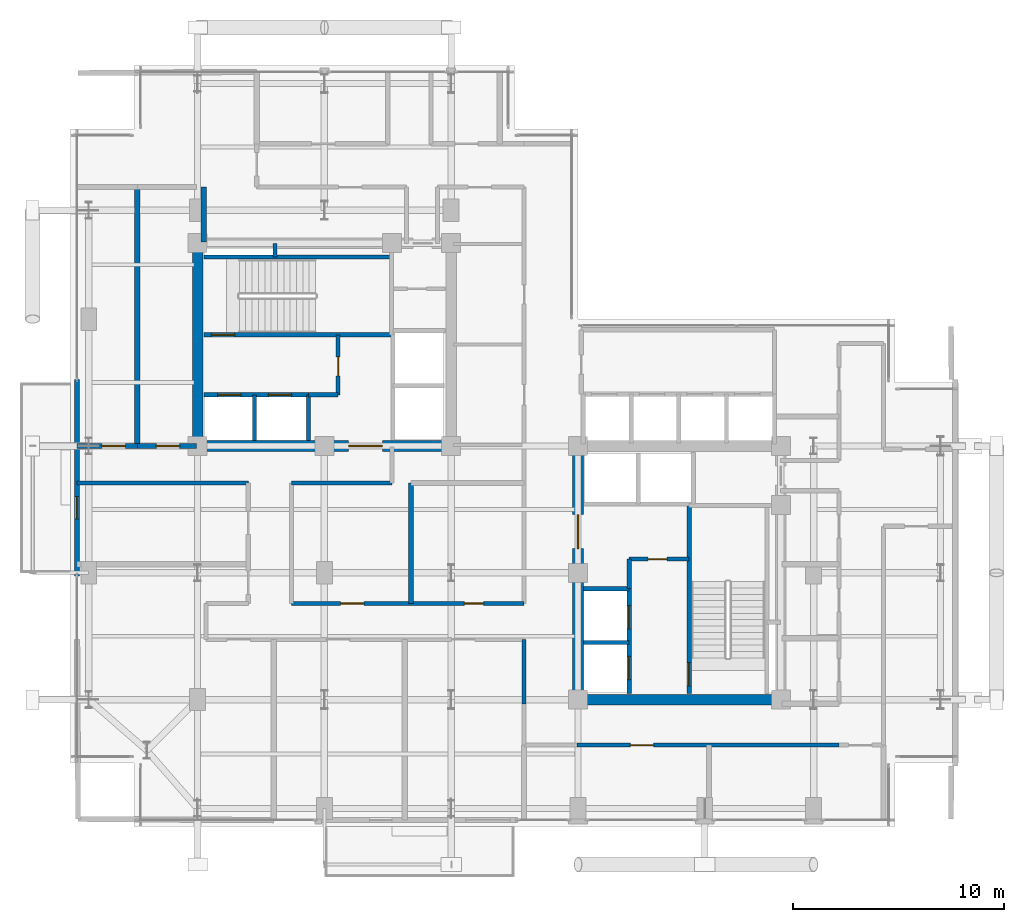
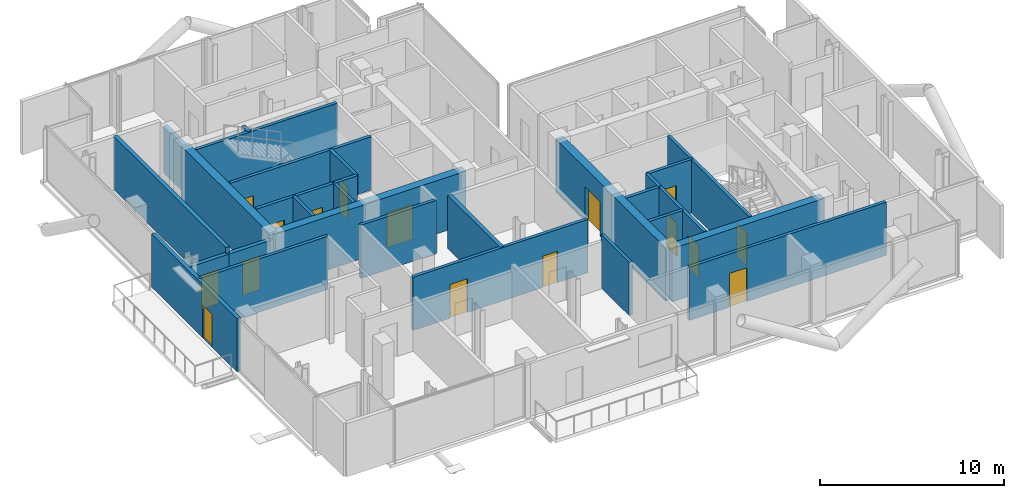
# One storey, part 17 of 21: 29 walls, 16 doors, 16 openings.
"""IFC4 building model written with IfcOpenShell, lengths in metres."""

from ifc_helpers import new_model, si_unit, direction, frame, frame_2d, origin, place, context, subcontext, project, spatial, rectangle, extrude, material, layer, layer_set, type_object, element, fill, save


model = new_model("IFC4")

# Units and contexts
model_context = context("Model", 3, precision=1e-05, world=origin(), true_north=direction((0.0, 1.0)))
body_context = subcontext(model_context, "Body", "Model", "MODEL_VIEW")
ifc_project = project(units=[si_unit("LENGTHUNIT", "METRE"), si_unit("AREAUNIT", "SQUARE_METRE"), si_unit("VOLUMEUNIT", "CUBIC_METRE"), si_unit("PLANEANGLEUNIT", "RADIAN"), si_unit("MASSUNIT", "GRAM", prefix="KILO"), si_unit("THERMODYNAMICTEMPERATUREUNIT", "KELVIN"), si_unit("POWERUNIT", "WATT")], contexts=[model_context])

# Site, building, storey
site_placement = place(None, origin())
site = spatial("IfcSite", under=ifc_project, at=site_placement, CompositionType="ELEMENT")
building_placement = place(site_placement, origin())
building = spatial("IfcBuilding", under=site, at=building_placement, Name="Svarakhadi Broadcast Tower", CompositionType="ELEMENT")
storey_placement = place(building_placement, frame((0.0, 0.0, 187.949951171875)))
storey = spatial("IfcBuildingStorey", under=building, at=storey_placement, Name="L46", CompositionType="ELEMENT", Elevation=187.949951171875)

# Wall
ifc_material_1 = material(Name="Double-Stud Acoustic Studio Partition STC-62", Category="gypsum")
ifc_layer_1 = layer(ifc_material_1, 0.25)
ifc_layer_set_1 = layer_set([ifc_layer_1], Name="Double-Stud Acoustic Studio Partition STC-62")
wall_type_1 = type_object("IfcWallType", Name="Wall_Acoust_250", PredefinedType="PARTITIONING", material=ifc_layer_set_1)
wall_1_placement = place(storey_placement, frame((16.10009765625, 10.550048828125, 0.0), z_axis=(0.0, 0.0, 1.0), x_axis=(0.0, 1.0, 0.0)))
element("IfcWall", 1, at=wall_1_placement, inside=storey, type_object=wall_type_1, Name="L46 Central Review Briefing Pod Wall", PredefinedType="PARTITIONING", context=body_context, shape_type="SweptSolid", body=[
    extrude(rectangle(XDim=5.699951171875, YDim=0.25, at=frame_2d((2.85009765625, 0.0))), origin(), (0.0, 0.0, 1.0), 3.5400390625),
])

# Wall, opening, door
wall_2_placement = place(storey_placement, frame((0.300048828125, 18.0, 0.0), z_axis=(0.0, 0.0, 1.0), x_axis=(1.0, 0.0, 0.0)))
wall_2 = element("IfcWall", 2, at=wall_2_placement, inside=storey, type_object=wall_type_1, Name="L46 Diplomatic Sunset Lounge Wall", PredefinedType="PARTITIONING", context=body_context, shape_type="SweptSolid", body=[
    extrude(rectangle(XDim=2.849853515625, YDim=0.25, at=frame_2d((1.4248046875, 0.0))), origin(), (0.0, 0.0, 1.0), 3.132080078125),
])
opening_1_placement = place(wall_2_placement, frame((1.179931640625, 0.0, 0.0)))
opening_1 = element("IfcOpeningElement", 3, at=opening_1_placement, cuts=wall_2, Name="Opening D-11", PredefinedType="OPENING", context=body_context, shape_type="SweptSolid", body=[
    extrude(rectangle(XDim=1.10009765625, YDim=2.25, at=frame_2d((0.550048828125, 1.125))), frame((0.0, 0.135009765625, 0.0), z_axis=(0.0, -1.0, 0.0), x_axis=(1.0, 0.0, 0.0)), (0.0, 0.0, 1.0), 0.27001953125),
])
ifc_material_2 = material(Name="Solid-Core Teak Veneer Acoustic Timber Leaf", Category="wood")
door_type_1 = type_object("IfcDoorType", Name="Door_Acoust_D11", OperationType="SINGLE_SWING_RIGHT", PredefinedType="DOOR", material=ifc_material_2)
door_1_placement = place(opening_1_placement, origin())
door_1 = element("IfcDoor", 4, at=door_1_placement, inside=storey, type_object=door_type_1, Name="L46 Diplomatic Sunset Lounge Door", OperationType="SINGLE_SWING_RIGHT", OverallHeight=2.25, OverallWidth=1.10009765625, PredefinedType="DOOR", context=body_context, shape_type="SweptSolid", body=[
    extrude(rectangle(XDim=1.10009765625, YDim=2.25, at=frame_2d((0.550048828125, 1.125))), frame((0.0, 0.02490234375, 0.0), z_axis=(0.0, -1.0, 0.0), x_axis=(1.0, 0.0, 0.0)), (0.0, 0.0, 1.0), 0.050048828125),
])
fill(opening_1, door_1)

# Wall
wall_3_placement = place(storey_placement, frame((3.14990234375, 18.0, 0.0), z_axis=(0.0, 0.0, 1.0), x_axis=(0.0, 1.0, 0.0)))
element("IfcWall", 5, at=wall_3_placement, inside=storey, type_object=wall_type_1, Name="L46 Diplomatic Sunset Lounge Wall", PredefinedType="PARTITIONING", context=body_context, shape_type="SweptSolid", body=[
    extrude(rectangle(XDim=12.25, YDim=0.25, at=frame_2d((6.125, 0.0))), origin(), (0.0, 0.0, 1.0), 3.5400390625),
])

# Wall, opening, door
wall_4_placement = place(storey_placement, frame((3.14990234375, 18.0, 0.0), z_axis=(0.0, 0.0, 1.0), x_axis=(1.0, 0.0, 0.0)))
wall_4 = element("IfcWall", 6, at=wall_4_placement, inside=storey, type_object=wall_type_1, Name="L46 Ambassador Protocol Study Wall", PredefinedType="PARTITIONING", context=body_context, shape_type="SweptSolid", body=[
    extrude(rectangle(XDim=2.800048828125, YDim=0.25, at=frame_2d((1.39990234375, 0.0))), origin(), (0.0, 0.0, 1.0), 3.132080078125),
])
opening_2_placement = place(wall_4_placement, frame((0.89990234375, 0.0, 0.0)))
opening_2 = element("IfcOpeningElement", 7, at=opening_2_placement, cuts=wall_4, Name="Opening D-10", PredefinedType="OPENING", context=body_context, shape_type="SweptSolid", body=[
    extrude(rectangle(XDim=1.10009765625, YDim=2.25, at=frame_2d((0.550048828125, 1.125))), frame((0.0, 0.135009765625, 0.0), z_axis=(0.0, -1.0, 0.0), x_axis=(1.0, 0.0, 0.0)), (0.0, 0.0, 1.0), 0.27001953125),
])
door_type_2 = type_object("IfcDoorType", Name="Door_Acoust_D10", OperationType="SINGLE_SWING_LEFT", PredefinedType="DOOR", material=ifc_material_2)
door_2_placement = place(opening_2_placement, origin())
door_2 = element("IfcDoor", 8, at=door_2_placement, inside=storey, type_object=door_type_2, Name="L46 Ambassador Protocol Study Door", OperationType="SINGLE_SWING_LEFT", OverallHeight=2.25, OverallWidth=1.10009765625, PredefinedType="DOOR", context=body_context, shape_type="SweptSolid", body=[
    extrude(rectangle(XDim=1.10009765625, YDim=2.25, at=frame_2d((0.550048828125, 1.125))), frame((0.0, 0.02490234375, 0.0), z_axis=(0.0, -1.0, 0.0), x_axis=(1.0, 0.0, 0.0)), (0.0, 0.0, 1.0), 0.050048828125),
])
fill(opening_2, door_2)

# Wall
wall_5_placement = place(storey_placement, frame((6.300048828125, 27.64990234375, 0.0), z_axis=(0.0, 0.0, 1.0), x_axis=(0.0, 1.0, 0.0)))
element("IfcWall", 9, at=wall_5_placement, inside=storey, type_object=wall_type_1, Name="L46 Guest Library Study Wall", PredefinedType="PARTITIONING", context=body_context, shape_type="SweptSolid", body=[
    extrude(rectangle(XDim=2.60009765625, YDim=0.25, at=frame_2d((1.300048828125, 0.0))), origin(), (0.0, 0.0, 1.0), 3.132080078125),
])

# Wall, opening, door
ifc_material_3 = material(Name="Concrete C40/50 (IS 456 M50)", Category="concrete")
ifc_layer_2 = layer(ifc_material_3, 0.239990234375)
ifc_layer_set_2 = layer_set([ifc_layer_2], Name="Concrete C40/50 (IS 456 M50)")
wall_type_2 = type_object("IfcWallType", Name="Wall_Ext_240", PredefinedType="SOLIDWALL", material=ifc_layer_set_2)
wall_6_placement = place(storey_placement, frame((0.300048828125, 11.85498046875, 0.0), z_axis=(0.0, 0.0, 1.0), x_axis=(0.0, 1.0, 0.0)))
wall_6 = element("IfcWall", 10, at=wall_6_placement, inside=storey, type_object=wall_type_2, Name="L46 West Tree Balcony Spandrel Wall", PredefinedType="SOLIDWALL", context=body_context, shape_type="SweptSolid", body=[
    extrude(rectangle(XDim=9.2900390625, YDim=0.239990234375, at=frame_2d((4.64501953125, 0.0))), origin(), (0.0, 0.0, 1.0), 3.5400390625),
])
opening_3_placement = place(wall_6_placement, frame((2.699951171875, 0.0, 0.0)))
opening_3 = element("IfcOpeningElement", 11, at=opening_3_placement, cuts=wall_6, Name="Opening ED-05", PredefinedType="OPENING", context=body_context, shape_type="SweptSolid", body=[
    extrude(rectangle(XDim=1.050048828125, YDim=2.199951171875, at=frame_2d((0.52490234375, 1.10009765625))), frame((0.0, 0.1298828125, 0.0), z_axis=(0.0, -1.0, 0.0), x_axis=(1.0, 0.0, 0.0)), (0.0, 0.0, 1.0), 0.260009765625),
])
ifc_material_4 = material(Name="Anodised Bronze Aluminium AA 6063-T6", Category="aluminium")
door_type_3 = type_object("IfcDoorType", Name="Door_Ext_ED05", OperationType="SINGLE_SWING_LEFT", PredefinedType="DOOR", material=ifc_material_4)
door_3_placement = place(opening_3_placement, origin())
door_3 = element("IfcDoor", 12, at=door_3_placement, inside=storey, type_object=door_type_3, Name="L46 West Tree Balcony Door", OperationType="SINGLE_SWING_LEFT", OverallHeight=2.199951171875, OverallWidth=1.050048828125, PredefinedType="DOOR", context=body_context, shape_type="SweptSolid", body=[
    extrude(rectangle(XDim=1.050048828125, YDim=2.199951171875, at=frame_2d((0.52490234375, 1.10009765625))), frame((0.0, 0.02490234375, 0.0), z_axis=(0.0, -1.0, 0.0), x_axis=(1.0, 0.0, 0.0)), (0.0, 0.0, 1.0), 0.050048828125),
])
fill(opening_3, door_3)

# Wall
ifc_layer_3 = layer(ifc_material_3, 0.199951171875)
ifc_layer_set_3 = layer_set([ifc_layer_3], Name="Concrete C40/50 (IS 456 M50)")
wall_type_3 = type_object("IfcWallType", Name="Wall_Fire_200", PredefinedType="SOLIDWALL", material=ifc_layer_set_3)
wall_7_placement = place(storey_placement, frame((9.659912109375, 26.93994140625, 0.0), z_axis=(0.0, 0.0, 1.0), x_axis=(0.0, 1.0, 0.0)))
element("IfcWall", 13, at=wall_7_placement, inside=storey, type_object=wall_type_3, Name="L46 Wet Riser Shaft East Wall", PredefinedType="SOLIDWALL", context=body_context, shape_type="SweptSolid", body=[
    extrude(rectangle(XDim=0.64013671875, YDim=0.199951171875, at=frame_2d((0.320068359375, 0.0))), origin(), (0.0, 0.0, 1.0), 3.5400390625),
])

# Wall, opening, door
wall_8_placement = place(storey_placement, frame((36.35009765625, 3.85009765625, 0.0), z_axis=(0.0, 0.0, 1.0), x_axis=(-1.0, 0.0, 0.0)))
wall_8 = element("IfcWall", 14, at=wall_8_placement, inside=storey, type_object=wall_type_3, Name="L46 Zone 2/3 Corridor Wall", PredefinedType="SOLIDWALL", context=body_context, shape_type="SweptSolid", body=[
    extrude(rectangle(XDim=12.400146484375, YDim=0.199951171875, at=frame_2d((6.2001953125, 0.0))), origin(), (0.0, 0.0, 1.0), 3.5400390625),
])
opening_4_placement = place(wall_8_placement, frame((8.77490234375, 0.0, 0.0)))
opening_4 = element("IfcOpeningElement", 15, at=opening_4_placement, cuts=wall_8, Name="Opening D-11", PredefinedType="OPENING", context=body_context, shape_type="SweptSolid", body=[
    extrude(rectangle(XDim=1.10009765625, YDim=2.25, at=frame_2d((0.550048828125, 1.125))), frame((0.0, 0.10986328125, 0.0), z_axis=(0.0, -1.0, 0.0), x_axis=(1.0, 0.0, 0.0)), (0.0, 0.0, 1.0), 0.219970703125),
])
door_4_placement = place(opening_4_placement, origin())
door_4 = element("IfcDoor", 16, at=door_4_placement, inside=storey, type_object=door_type_1, Name="L46 Hotel Business Centre Office Door", OperationType="SINGLE_SWING_RIGHT", OverallHeight=2.25, OverallWidth=1.10009765625, PredefinedType="DOOR", context=body_context, shape_type="SweptSolid", body=[
    extrude(rectangle(XDim=1.10009765625, YDim=2.25, at=frame_2d((0.550048828125, 1.125))), frame((0.0, 0.02490234375, 0.0), z_axis=(0.0, -1.0, 0.0), x_axis=(1.0, 0.0, 0.0)), (0.0, 0.0, 1.0), 0.050048828125),
])
fill(opening_4, door_4)

# Walls
wall_9_placement = place(storey_placement, frame((21.449951171875, 5.800048828125, 0.0), z_axis=(0.0, 0.0, 1.0), x_axis=(0.0, 1.0, 0.0)))
element("IfcWall", 17, at=wall_9_placement, inside=storey, type_object=wall_type_3, Name="L46 Zone 2/3 Corridor Wall", PredefinedType="SOLIDWALL", context=body_context, shape_type="SweptSolid", body=[
    extrude(rectangle(XDim=3.050048828125, YDim=0.199951171875, at=frame_2d((1.52490234375, 0.0))), origin(), (0.0, 0.0, 1.0), 3.5400390625),
])
wall_10_placement = place(storey_placement, frame((8.39990234375, 16.25, 0.0), z_axis=(0.0, 0.0, 1.0), x_axis=(-1.0, 0.0, 0.0)))
element("IfcWall", 18, at=wall_10_placement, inside=storey, type_object=wall_type_3, Name="L46 Zone 2/3 Corridor Wall", PredefinedType="SOLIDWALL", context=body_context, shape_type="SweptSolid", body=[
    extrude(rectangle(XDim=8.099853515625, YDim=0.199951171875, at=frame_2d((4.0498046875, 0.0))), origin(), (0.0, 0.0, 1.0), 3.5400390625),
])
wall_11_placement = place(storey_placement, frame((15.199951171875, 16.25, 0.0), z_axis=(0.0, 0.0, 1.0), x_axis=(-1.0, 0.0, 0.0)))
element("IfcWall", 19, at=wall_11_placement, inside=storey, type_object=wall_type_3, Name="L46 Zone 2/3 Corridor Wall", PredefinedType="SOLIDWALL", context=body_context, shape_type="SweptSolid", body=[
    extrude(rectangle(XDim=4.75, YDim=0.199951171875, at=frame_2d((2.375, 0.0))), origin(), (0.0, 0.0, 1.0), 3.5400390625),
])

# Wall, openings, doors
wall_12_placement = place(storey_placement, frame((10.449951171875, 10.550048828125, 0.0), z_axis=(0.0, 0.0, 1.0), x_axis=(1.0, 0.0, 0.0)))
wall_12 = element("IfcWall", 20, at=wall_12_placement, inside=storey, type_object=wall_type_3, Name="L46 Zone 2/3 Corridor Wall", PredefinedType="SOLIDWALL", context=body_context, shape_type="SweptSolid", body=[
    extrude(rectangle(XDim=11.0, YDim=0.199951171875, at=frame_2d((5.5, 0.0))), origin(), (0.0, 0.0, 1.0), 3.5400390625),
])
opening_5_placement = place(wall_12_placement, frame((2.324951171875, 0.0, 0.0)))
opening_5 = element("IfcOpeningElement", 21, at=opening_5_placement, cuts=wall_12, Name="Opening D-11", PredefinedType="OPENING", context=body_context, shape_type="SweptSolid", body=[
    extrude(rectangle(XDim=1.10009765625, YDim=2.25, at=frame_2d((0.550048828125, 1.125))), frame((0.0, 0.10986328125, 0.0), z_axis=(0.0, -1.0, 0.0), x_axis=(1.0, 0.0, 0.0)), (0.0, 0.0, 1.0), 0.219970703125),
])
opening_6_placement = place(wall_12_placement, frame((8.179931640625, 0.0, 0.0)))
opening_6 = element("IfcOpeningElement", 22, at=opening_6_placement, cuts=wall_12, Name="Opening D-12", PredefinedType="OPENING", context=body_context, shape_type="SweptSolid", body=[
    extrude(rectangle(XDim=0.89990234375, YDim=2.10009765625, at=frame_2d((0.449951171875, 1.050048828125))), frame((0.0, 0.10986328125, 0.0), z_axis=(0.0, -1.0, 0.0), x_axis=(1.0, 0.0, 0.0)), (0.0, 0.0, 1.0), 0.219970703125),
])
door_5_placement = place(opening_5_placement, origin())
door_5 = element("IfcDoor", 23, at=door_5_placement, inside=storey, type_object=door_type_1, Name="L46 Central Review Briefing Pod Door", OperationType="SINGLE_SWING_RIGHT", OverallHeight=2.25, OverallWidth=1.10009765625, PredefinedType="DOOR", context=body_context, shape_type="SweptSolid", body=[
    extrude(rectangle(XDim=1.10009765625, YDim=2.25, at=frame_2d((0.550048828125, 1.125))), frame((0.0, 0.02490234375, 0.0), z_axis=(0.0, -1.0, 0.0), x_axis=(1.0, 0.0, 0.0)), (0.0, 0.0, 1.0), 0.050048828125),
])
fill(opening_5, door_5)
door_type_4 = type_object("IfcDoorType", Name="Door_WC_D01", OperationType="SINGLE_SWING_LEFT", PredefinedType="DOOR", material=ifc_material_2)
door_6_placement = place(opening_6_placement, origin())
door_6 = element("IfcDoor", 24, at=door_6_placement, inside=storey, type_object=door_type_4, Name="L46 Accessible Floor Washroom WC Door", OperationType="SINGLE_SWING_LEFT", OverallHeight=2.10009765625, OverallWidth=0.89990234375, PredefinedType="DOOR", context=body_context, shape_type="SweptSolid", body=[
    extrude(rectangle(XDim=0.89990234375, YDim=2.10009765625, at=frame_2d((0.449951171875, 1.050048828125))), frame((0.0, 0.02490234375, 0.0), z_axis=(0.0, -1.0, 0.0), x_axis=(1.0, 0.0, 0.0)), (0.0, 0.0, 1.0), 0.050048828125),
])
fill(opening_6, door_6)

# Wall, opening, door
ifc_material_5 = material(Name="Concrete C50/60 (IS 456 M60)", Category="concrete")
ifc_layer_4 = layer(ifc_material_5, 0.199951171875)
ifc_layer_set_4 = layer_set([ifc_layer_4], Name="Concrete C50/60 (IS 456 M60)")
wall_type_4 = type_object("IfcWallType", Name="Wall_Shear_200", PredefinedType="SHEAR", material=ifc_layer_set_4)
wall_13_placement = place(storey_placement, frame((6.300048828125, 23.260009765625, 0.0), z_axis=(0.0, 0.0, 1.0), x_axis=(1.0, 0.0, 0.0)))
wall_13 = element("IfcWall", 25, at=wall_13_placement, inside=storey, type_object=wall_type_4, Name="L46 Stair ST-01 South RC Shaft Wall", PredefinedType="SHEAR", context=body_context, shape_type="SweptSolid", body=[
    extrude(rectangle(XDim=8.8798828125, YDim=0.199951171875, at=frame_2d((4.43994140625, 0.0))), origin(), (0.0, 0.0, 1.0), 3.5400390625),
])
opening_7_placement = place(wall_13_placement, frame((0.35009765625, 0.0, 0.0)))
opening_7 = element("IfcOpeningElement", 26, at=opening_7_placement, cuts=wall_13, Name="Opening D-01", PredefinedType="OPENING", context=body_context, shape_type="SweptSolid", body=[
    extrude(rectangle(XDim=1.10009765625, YDim=2.199951171875, at=frame_2d((0.550048828125, 1.10009765625))), frame((0.0, 0.10986328125, 0.0), z_axis=(0.0, -1.0, 0.0), x_axis=(1.0, 0.0, 0.0)), (0.0, 0.0, 1.0), 0.219970703125),
])
ifc_material_6 = material(Name="Galvanised Powder-Coated Fire-Rated Steel Leaf", Category="steel")
door_type_5 = type_object("IfcDoorType", Name="Door_Stair_D01", OperationType="SINGLE_SWING_LEFT", PredefinedType="DOOR", material=ifc_material_6)
door_7_placement = place(opening_7_placement, origin())
door_7 = element("IfcDoor", 27, at=door_7_placement, inside=storey, type_object=door_type_5, Name="L46 Protected Exit Stair ST-01 Fire Door", OperationType="SINGLE_SWING_LEFT", OverallHeight=2.199951171875, OverallWidth=1.10009765625, PredefinedType="DOOR", context=body_context, shape_type="SweptSolid", body=[
    extrude(rectangle(XDim=1.10009765625, YDim=2.199951171875, at=frame_2d((0.550048828125, 1.10009765625))), frame((0.0, 0.02490234375, 0.0), z_axis=(0.0, -1.0, 0.0), x_axis=(1.0, 0.0, 0.0)), (0.0, 0.0, 1.0), 0.050048828125),
])
fill(opening_7, door_7)

# Wall
wall_14_placement = place(storey_placement, frame((6.300048828125, 26.93994140625, 0.0), z_axis=(0.0, 0.0, 1.0), x_axis=(1.0, 0.0, 0.0)))
element("IfcWall", 28, at=wall_14_placement, inside=storey, type_object=wall_type_4, Name="L46 Stair ST-01 North RC Shaft Wall", PredefinedType="SHEAR", context=body_context, shape_type="SweptSolid", body=[
    extrude(rectangle(XDim=8.8798828125, YDim=0.199951171875, at=frame_2d((4.43994140625, 0.0))), origin(), (0.0, 0.0, 1.0), 3.5400390625),
])

# Wall, opening, door
wall_15_placement = place(storey_placement, frame((29.260009765625, 6.300048828125, 0.0), z_axis=(0.0, 0.0, 1.0), x_axis=(0.0, 1.0, 0.0)))
wall_15 = element("IfcWall", 29, at=wall_15_placement, inside=storey, type_object=wall_type_4, Name="L46 Stair ST-02 West RC Shaft Wall", PredefinedType="SHEAR", context=body_context, shape_type="SweptSolid", body=[
    extrude(rectangle(XDim=8.8798828125, YDim=0.199951171875, at=frame_2d((4.43994140625, 0.0))), origin(), (0.0, 0.0, 1.0), 3.5400390625),
])
opening_8_placement = place(wall_15_placement, frame((0.35009765625, 0.0, 0.0)))
opening_8 = element("IfcOpeningElement", 30, at=opening_8_placement, cuts=wall_15, Name="Opening D-02", PredefinedType="OPENING", context=body_context, shape_type="SweptSolid", body=[
    extrude(rectangle(XDim=1.10009765625, YDim=2.199951171875, at=frame_2d((0.550048828125, 1.10009765625))), frame((0.0, 0.10986328125, 0.0), z_axis=(0.0, -1.0, 0.0), x_axis=(1.0, 0.0, 0.0)), (0.0, 0.0, 1.0), 0.219970703125),
])
door_type_6 = type_object("IfcDoorType", Name="Door_Stair_D02", OperationType="SINGLE_SWING_RIGHT", PredefinedType="DOOR", material=ifc_material_6)
door_8_placement = place(opening_8_placement, origin())
door_8 = element("IfcDoor", 31, at=door_8_placement, inside=storey, type_object=door_type_6, Name="L46 Protected Exit Stair ST-02 Fire Door", OperationType="SINGLE_SWING_RIGHT", OverallHeight=2.199951171875, OverallWidth=1.10009765625, PredefinedType="DOOR", context=body_context, shape_type="SweptSolid", body=[
    extrude(rectangle(XDim=1.10009765625, YDim=2.199951171875, at=frame_2d((0.550048828125, 1.10009765625))), frame((0.0, 0.02490234375, 0.0), z_axis=(0.0, -1.0, 0.0), x_axis=(1.0, 0.0, 0.0)), (0.0, 0.0, 1.0), 0.050048828125),
])
fill(opening_8, door_8)

# Wall, openings, doors
wall_16_placement = place(storey_placement, frame((6.300048828125, 20.419921875, 0.0), z_axis=(0.0, 0.0, 1.0), x_axis=(1.0, 0.0, 0.0)))
wall_16 = element("IfcWall", 32, at=wall_16_placement, inside=storey, type_object=wall_type_4, Name="L46 Firefighting Lift LF-01/02 Shaft Wall", PredefinedType="SHEAR", context=body_context, shape_type="SweptSolid", body=[
    extrude(rectangle(XDim=4.949951171875, YDim=0.199951171875, at=frame_2d((2.47509765625, 0.0))), origin(), (0.0, 0.0, 1.0), 3.5400390625),
])
opening_9_placement = place(wall_16_placement, frame((0.64990234375, 0.0, 0.0)))
opening_9 = element("IfcOpeningElement", 33, at=opening_9_placement, cuts=wall_16, Name="Opening LD-01", PredefinedType="OPENING", context=body_context, shape_type="SweptSolid", body=[
    extrude(rectangle(XDim=1.10009765625, YDim=2.199951171875, at=frame_2d((0.550048828125, 1.10009765625))), frame((0.0, 0.10986328125, 0.0), z_axis=(0.0, -1.0, 0.0), x_axis=(1.0, 0.0, 0.0)), (0.0, 0.0, 1.0), 0.219970703125),
])
opening_10_placement = place(wall_16_placement, frame((3.050048828125, 0.0, 0.0)))
opening_10 = element("IfcOpeningElement", 34, at=opening_10_placement, cuts=wall_16, Name="Opening LD-01", PredefinedType="OPENING", context=body_context, shape_type="SweptSolid", body=[
    extrude(rectangle(XDim=1.10009765625, YDim=2.199951171875, at=frame_2d((0.550048828125, 1.10009765625))), frame((0.0, 0.10986328125, 0.0), z_axis=(0.0, -1.0, 0.0), x_axis=(1.0, 0.0, 0.0)), (0.0, 0.0, 1.0), 0.219970703125),
])
door_type_7 = type_object("IfcDoorType", Name="Door_Lift_LD01", OperationType="SLIDING_TO_LEFT", PredefinedType="DOOR", material=ifc_material_6)
door_9_placement = place(opening_9_placement, origin())
door_9 = element("IfcDoor", 35, at=door_9_placement, inside=storey, type_object=door_type_7, Name="L46 Firefighting Lift LF-01 Landing Door", OperationType="SLIDING_TO_LEFT", OverallHeight=2.199951171875, OverallWidth=1.10009765625, PredefinedType="DOOR", context=body_context, shape_type="SweptSolid", body=[
    extrude(rectangle(XDim=1.10009765625, YDim=2.199951171875, at=frame_2d((0.550048828125, 1.10009765625))), frame((0.0, 0.02490234375, 0.0), z_axis=(0.0, -1.0, 0.0), x_axis=(1.0, 0.0, 0.0)), (0.0, 0.0, 1.0), 0.050048828125),
])
fill(opening_9, door_9)
door_10_placement = place(opening_10_placement, origin())
door_10 = element("IfcDoor", 36, at=door_10_placement, inside=storey, type_object=door_type_7, Name="L46 Firefighting Lift LF-02 Landing Door", OperationType="SLIDING_TO_LEFT", OverallHeight=2.199951171875, OverallWidth=1.10009765625, PredefinedType="DOOR", context=body_context, shape_type="SweptSolid", body=[
    extrude(rectangle(XDim=1.10009765625, YDim=2.199951171875, at=frame_2d((0.550048828125, 1.10009765625))), frame((0.0, 0.02490234375, 0.0), z_axis=(0.0, -1.0, 0.0), x_axis=(1.0, 0.0, 0.0)), (0.0, 0.0, 1.0), 0.050048828125),
])
fill(opening_10, door_10)

# Walls
for number, where, z_axis, x_axis, name in (
    (37, (8.699951171875, 18.25, 0.0), (0.0, 0.0, 1.0), (0.0, 1.0, 0.0), "L46 Firefighting Lift LF-01/02 Divider Wall"),
    (38, (11.25, 18.25, 0.0), (0.0, 0.0, 1.0), (0.0, 1.0, 0.0), "L46 Firefighting Lift LF-02 East Wall"),
):
    element("IfcWall", number, at=place(storey_placement, frame(where, z_axis=z_axis, x_axis=x_axis)), inside=storey, type_object=wall_type_4, Name=name, PredefinedType="SHEAR", context=body_context, shape_type="SweptSolid", body=[
        extrude(rectangle(XDim=2.169921875, YDim=0.199951171875, at=frame_2d((1.0849609375, 0.0))), origin(), (0.0, 0.0, 1.0), 3.5400390625),
    ])
wall_17_placement = place(storey_placement, frame((11.25, 20.419921875, 0.0), z_axis=(0.0, 0.0, 1.0), x_axis=(1.0, 0.0, 0.0)))
element("IfcWall", 39, at=wall_17_placement, inside=storey, type_object=wall_type_4, Name="L46 West Firefighting Lobby South Wall", PredefinedType="SHEAR", context=body_context, shape_type="SweptSolid", body=[
    extrude(rectangle(XDim=1.39990234375, YDim=0.199951171875, at=frame_2d((0.699951171875, 0.0))), origin(), (0.0, 0.0, 1.0), 3.5400390625),
])

# Wall, opening, door
wall_18_placement = place(storey_placement, frame((12.64990234375, 20.419921875, 0.0), z_axis=(0.0, 0.0, 1.0), x_axis=(0.0, 1.0, 0.0)))
wall_18 = element("IfcWall", 40, at=wall_18_placement, inside=storey, type_object=wall_type_4, Name="L46 West Firefighting Lobby East Wall", PredefinedType="SHEAR", context=body_context, shape_type="SweptSolid", body=[
    extrude(rectangle(XDim=2.840087890625, YDim=0.199951171875, at=frame_2d((1.419921875, 0.0))), origin(), (0.0, 0.0, 1.0), 3.5400390625),
])
opening_11_placement = place(wall_18_placement, frame((0.89990234375, 0.0, 0.0)))
opening_11 = element("IfcOpeningElement", 41, at=opening_11_placement, cuts=wall_18, Name="Opening D-03", PredefinedType="OPENING", context=body_context, shape_type="SweptSolid", body=[
    extrude(rectangle(XDim=0.89990234375, YDim=2.14990234375, at=frame_2d((0.449951171875, 1.074951171875))), frame((0.0, 0.10986328125, 0.0), z_axis=(0.0, -1.0, 0.0), x_axis=(1.0, 0.0, 0.0)), (0.0, 0.0, 1.0), 0.219970703125),
])
door_type_8 = type_object("IfcDoorType", Name="Door_Fire_D03", OperationType="SINGLE_SWING_LEFT", PredefinedType="DOOR", material=ifc_material_6)
door_11_placement = place(opening_11_placement, origin())
door_11 = element("IfcDoor", 42, at=door_11_placement, inside=storey, type_object=door_type_8, Name="L46 West Firefighting Lobby Fire Door", OperationType="SINGLE_SWING_LEFT", OverallHeight=2.14990234375, OverallWidth=0.89990234375, PredefinedType="DOOR", context=body_context, shape_type="SweptSolid", body=[
    extrude(rectangle(XDim=0.89990234375, YDim=2.14990234375, at=frame_2d((0.449951171875, 1.074951171875))), frame((0.0, 0.02490234375, 0.0), z_axis=(0.0, -1.0, 0.0), x_axis=(1.0, 0.0, 0.0)), (0.0, 0.0, 1.0), 0.050048828125),
])
fill(opening_11, door_11)

# Wall, openings, doors
wall_19_placement = place(storey_placement, frame((26.419921875, 6.300048828125, 0.0), z_axis=(0.0, 0.0, 1.0), x_axis=(0.0, 1.0, 0.0)))
wall_19 = element("IfcWall", 43, at=wall_19_placement, inside=storey, type_object=wall_type_4, Name="L46 Firefighting Lift LF-03/04 Shaft Wall", PredefinedType="SHEAR", context=body_context, shape_type="SweptSolid", body=[
    extrude(rectangle(XDim=4.949951171875, YDim=0.199951171875, at=frame_2d((2.47509765625, 0.0))), origin(), (0.0, 0.0, 1.0), 3.5400390625),
])
opening_12_placement = place(wall_19_placement, frame((0.64990234375, 0.0, 0.0)))
opening_12 = element("IfcOpeningElement", 44, at=opening_12_placement, cuts=wall_19, Name="Opening LD-01", PredefinedType="OPENING", context=body_context, shape_type="SweptSolid", body=[
    extrude(rectangle(XDim=1.10009765625, YDim=2.199951171875, at=frame_2d((0.550048828125, 1.10009765625))), frame((0.0, 0.10986328125, 0.0), z_axis=(0.0, -1.0, 0.0), x_axis=(1.0, 0.0, 0.0)), (0.0, 0.0, 1.0), 0.219970703125),
])
opening_13_placement = place(wall_19_placement, frame((3.050048828125, 0.0, 0.0)))
opening_13 = element("IfcOpeningElement", 45, at=opening_13_placement, cuts=wall_19, Name="Opening LD-01", PredefinedType="OPENING", context=body_context, shape_type="SweptSolid", body=[
    extrude(rectangle(XDim=1.10009765625, YDim=2.199951171875, at=frame_2d((0.550048828125, 1.10009765625))), frame((0.0, 0.10986328125, 0.0), z_axis=(0.0, -1.0, 0.0), x_axis=(1.0, 0.0, 0.0)), (0.0, 0.0, 1.0), 0.219970703125),
])
door_12_placement = place(opening_12_placement, origin())
door_12 = element("IfcDoor", 46, at=door_12_placement, inside=storey, type_object=door_type_7, Name="L46 Firefighting Lift LF-03 Landing Door", OperationType="SLIDING_TO_LEFT", OverallHeight=2.199951171875, OverallWidth=1.10009765625, PredefinedType="DOOR", context=body_context, shape_type="SweptSolid", body=[
    extrude(rectangle(XDim=1.10009765625, YDim=2.199951171875, at=frame_2d((0.550048828125, 1.10009765625))), frame((0.0, 0.02490234375, 0.0), z_axis=(0.0, -1.0, 0.0), x_axis=(1.0, 0.0, 0.0)), (0.0, 0.0, 1.0), 0.050048828125),
])
fill(opening_12, door_12)
door_13_placement = place(opening_13_placement, origin())
door_13 = element("IfcDoor", 47, at=door_13_placement, inside=storey, type_object=door_type_7, Name="L46 Firefighting Lift LF-04 Landing Door", OperationType="SLIDING_TO_LEFT", OverallHeight=2.199951171875, OverallWidth=1.10009765625, PredefinedType="DOOR", context=body_context, shape_type="SweptSolid", body=[
    extrude(rectangle(XDim=1.10009765625, YDim=2.199951171875, at=frame_2d((0.550048828125, 1.10009765625))), frame((0.0, 0.02490234375, 0.0), z_axis=(0.0, -1.0, 0.0), x_axis=(1.0, 0.0, 0.0)), (0.0, 0.0, 1.0), 0.050048828125),
])
fill(opening_13, door_13)

# Walls
for number, where, z_axis, x_axis, name in (
    (48, (24.25, 8.699951171875, 0.0), (0.0, 0.0, 1.0), (1.0, 0.0, 0.0), "L46 Firefighting Lift LF-03/04 Divider Wall"),
    (49, (24.25, 11.25, 0.0), (0.0, 0.0, 1.0), (1.0, 0.0, 0.0), "L46 Firefighting Lift LF-04 North Wall"),
):
    element("IfcWall", number, at=place(storey_placement, frame(where, z_axis=z_axis, x_axis=x_axis)), inside=storey, type_object=wall_type_4, Name=name, PredefinedType="SHEAR", context=body_context, shape_type="SweptSolid", body=[
        extrude(rectangle(XDim=2.169921875, YDim=0.199951171875, at=frame_2d((1.0849609375, 0.0))), origin(), (0.0, 0.0, 1.0), 3.5400390625),
    ])
wall_20_placement = place(storey_placement, frame((26.419921875, 11.25, 0.0), z_axis=(0.0, 0.0, 1.0), x_axis=(0.0, 1.0, 0.0)))
element("IfcWall", 50, at=wall_20_placement, inside=storey, type_object=wall_type_4, Name="L46 East Firefighting Lobby West Wall", PredefinedType="SHEAR", context=body_context, shape_type="SweptSolid", body=[
    extrude(rectangle(XDim=1.39990234375, YDim=0.199951171875, at=frame_2d((0.699951171875, 0.0))), origin(), (0.0, 0.0, 1.0), 3.5400390625),
])

# Wall, opening, door
wall_21_placement = place(storey_placement, frame((26.419921875, 12.64990234375, 0.0), z_axis=(0.0, 0.0, 1.0), x_axis=(1.0, 0.0, 0.0)))
wall_21 = element("IfcWall", 51, at=wall_21_placement, inside=storey, type_object=wall_type_4, Name="L46 East Firefighting Lobby North Wall", PredefinedType="SHEAR", context=body_context, shape_type="SweptSolid", body=[
    extrude(rectangle(XDim=2.840087890625, YDim=0.199951171875, at=frame_2d((1.419921875, 0.0))), origin(), (0.0, 0.0, 1.0), 3.5400390625),
])
opening_14_placement = place(wall_21_placement, frame((0.89990234375, 0.0, 0.0)))
opening_14 = element("IfcOpeningElement", 52, at=opening_14_placement, cuts=wall_21, Name="Opening D-04", PredefinedType="OPENING", context=body_context, shape_type="SweptSolid", body=[
    extrude(rectangle(XDim=0.89990234375, YDim=2.14990234375, at=frame_2d((0.449951171875, 1.074951171875))), frame((0.0, 0.10986328125, 0.0), z_axis=(0.0, -1.0, 0.0), x_axis=(1.0, 0.0, 0.0)), (0.0, 0.0, 1.0), 0.219970703125),
])
door_type_9 = type_object("IfcDoorType", Name="Door_Fire_D04", OperationType="SINGLE_SWING_RIGHT", PredefinedType="DOOR", material=ifc_material_6)
door_14_placement = place(opening_14_placement, origin())
door_14 = element("IfcDoor", 53, at=door_14_placement, inside=storey, type_object=door_type_9, Name="L46 East Firefighting Lobby Fire Door", OperationType="SINGLE_SWING_RIGHT", OverallHeight=2.14990234375, OverallWidth=0.89990234375, PredefinedType="DOOR", context=body_context, shape_type="SweptSolid", body=[
    extrude(rectangle(XDim=0.89990234375, YDim=2.14990234375, at=frame_2d((0.449951171875, 1.074951171875))), frame((0.0, 0.02490234375, 0.0), z_axis=(0.0, -1.0, 0.0), x_axis=(1.0, 0.0, 0.0)), (0.0, 0.0, 1.0), 0.050048828125),
])
fill(opening_14, door_14)

ifc_layer_5 = layer(ifc_material_5, 0.5)
ifc_layer_set_5 = layer_set([ifc_layer_5], Name="Concrete C50/60 (IS 456 M60)")
wall_type_5 = type_object("IfcWallType", Name="Wall_Shear_500", PredefinedType="SHEAR", material=ifc_layer_set_5)
wall_22_placement = place(storey_placement, frame((6.0, 18.0, 0.0), z_axis=(0.0, 0.0, 1.0), x_axis=(1.0, 0.0, 0.0)))
wall_22 = element("IfcWall", 54, at=wall_22_placement, inside=storey, type_object=wall_type_5, Name="L46 West Core South Shear Wall", PredefinedType="SHEAR", context=body_context, shape_type="SweptSolid", body=[
    extrude(rectangle(XDim=12.0, YDim=0.5, at=frame_2d((6.0, 0.0))), origin(), (0.0, 0.0, 1.0), 3.5400390625),
])
opening_15_placement = place(wall_22_placement, frame((7.14990234375, 0.0, 0.0)))
opening_15 = element("IfcOpeningElement", 55, at=opening_15_placement, cuts=wall_22, Name="Opening D-05", PredefinedType="OPENING", context=body_context, shape_type="SweptSolid", body=[
    extrude(rectangle(XDim=1.60009765625, YDim=2.300048828125, at=frame_2d((0.800048828125, 1.14990234375))), frame((0.0, 0.260009765625, 0.0), z_axis=(0.0, -1.0, 0.0), x_axis=(1.0, 0.0, 0.0)), (0.0, 0.0, 1.0), 0.52001953125),
])
door_type_10 = type_object("IfcDoorType", Name="Door_Lobby_D05", OperationType="DOUBLE_DOOR_SLIDING", PredefinedType="DOOR", material=ifc_material_4)
door_15_placement = place(opening_15_placement, origin())
door_15 = element("IfcDoor", 56, at=door_15_placement, inside=storey, type_object=door_type_10, Name="L46 West Core Passenger Lift Lobby Entrance Door", OperationType="DOUBLE_DOOR_SLIDING", OverallHeight=2.300048828125, OverallWidth=1.60009765625, PredefinedType="DOOR", context=body_context, shape_type="SweptSolid", body=[
    extrude(rectangle(XDim=1.60009765625, YDim=2.300048828125, at=frame_2d((0.800048828125, 1.14990234375))), frame((0.0, 0.02490234375, 0.0), z_axis=(0.0, -1.0, 0.0), x_axis=(1.0, 0.0, 0.0)), (0.0, 0.0, 1.0), 0.050048828125),
])
fill(opening_15, door_15)

# Walls
for number, where, z_axis, x_axis, name in (
    (57, (6.0, 18.0, 0.0), (0.0, 0.0, 1.0), (0.0, 1.0, 0.0), "L46 West Core West Shear Wall"),
    (58, (24.0, 6.0, 0.0), (0.0, 0.0, 1.0), (1.0, 0.0, 0.0), "L46 East Core South Shear Wall"),
):
    element("IfcWall", number, at=place(storey_placement, frame(where, z_axis=z_axis, x_axis=x_axis)), inside=storey, type_object=wall_type_5, Name=name, PredefinedType="SHEAR", context=body_context, shape_type="SweptSolid", body=[
        extrude(rectangle(XDim=9.60009765625, YDim=0.5, at=frame_2d((4.800048828125, 0.0))), origin(), (0.0, 0.0, 1.0), 3.5400390625),
    ])

# Wall, opening, door
wall_23_placement = place(storey_placement, frame((24.0, 6.0, 0.0), z_axis=(0.0, 0.0, 1.0), x_axis=(0.0, 1.0, 0.0)))
wall_23 = element("IfcWall", 59, at=wall_23_placement, inside=storey, type_object=wall_type_5, Name="L46 East Core West Shear Wall", PredefinedType="SHEAR", context=body_context, shape_type="SweptSolid", body=[
    extrude(rectangle(XDim=12.0, YDim=0.5, at=frame_2d((6.0, 0.0))), origin(), (0.0, 0.0, 1.0), 3.5400390625),
])
opening_16_placement = place(wall_23_placement, frame((7.14990234375, 0.0, 0.0)))
opening_16 = element("IfcOpeningElement", 60, at=opening_16_placement, cuts=wall_23, Name="Opening D-05", PredefinedType="OPENING", context=body_context, shape_type="SweptSolid", body=[
    extrude(rectangle(XDim=1.60009765625, YDim=2.300048828125, at=frame_2d((0.800048828125, 1.14990234375))), frame((0.0, 0.260009765625, 0.0), z_axis=(0.0, -1.0, 0.0), x_axis=(1.0, 0.0, 0.0)), (0.0, 0.0, 1.0), 0.52001953125),
])
door_16_placement = place(opening_16_placement, origin())
door_16 = element("IfcDoor", 61, at=door_16_placement, inside=storey, type_object=door_type_10, Name="L46 East Core Passenger Lift Lobby Entrance Door", OperationType="DOUBLE_DOOR_SLIDING", OverallHeight=2.300048828125, OverallWidth=1.60009765625, PredefinedType="DOOR", context=body_context, shape_type="SweptSolid", body=[
    extrude(rectangle(XDim=1.60009765625, YDim=2.300048828125, at=frame_2d((0.800048828125, 1.14990234375))), frame((0.0, 0.02490234375, 0.0), z_axis=(0.0, -1.0, 0.0), x_axis=(1.0, 0.0, 0.0)), (0.0, 0.0, 1.0), 0.050048828125),
])
fill(opening_16, door_16)

save(model, "model.ifc")
